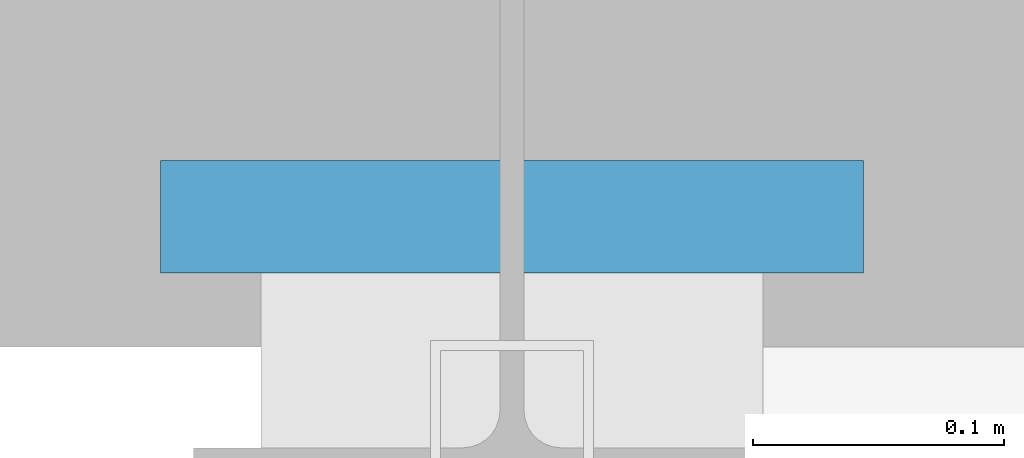
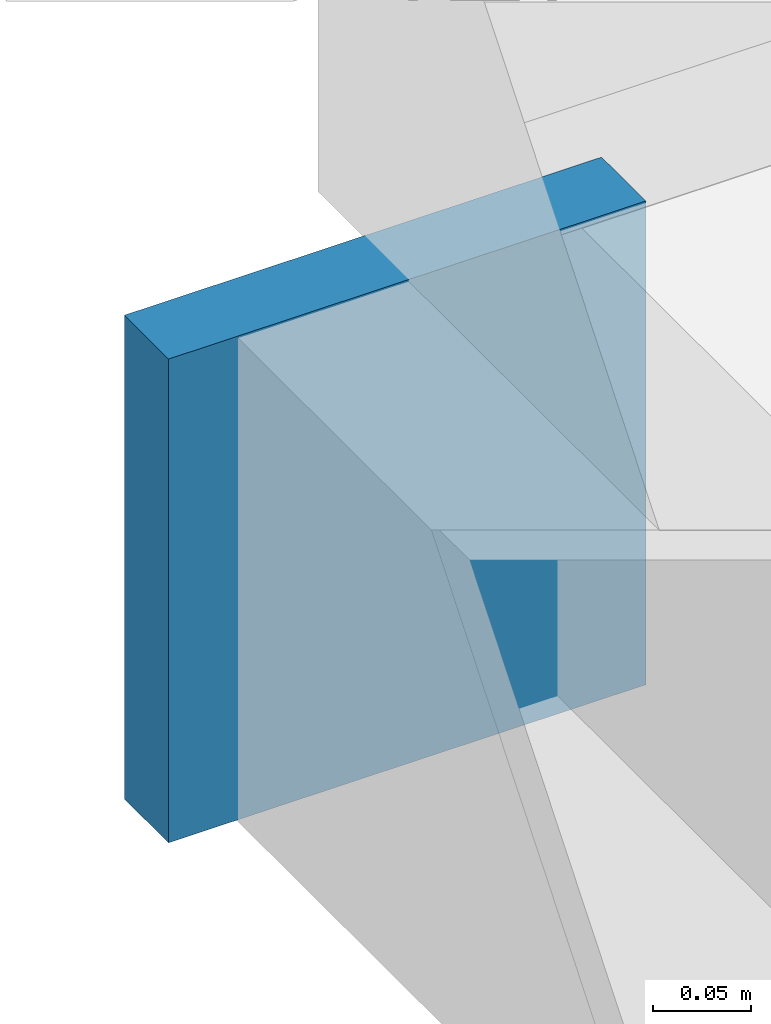
# One storey, part 150 of 174: 1 plate.
"""IFC4 building model written with IfcOpenShell, lengths in metres."""

from ifc_helpers import new_model, si_unit, direction, frame, origin, origin_2d, place, context, subcontext, project, spatial, rectangle, extrude, material, layer, layer_set, type_object, element, save


model = new_model("IFC4")

# Units and contexts
model_context = context("Model", 3, precision=1e-05, world=origin(), true_north=direction((0.0, 1.0)))
body_context = subcontext(model_context, "Body", "Model", "MODEL_VIEW")
ifc_project = project(units=[si_unit("LENGTHUNIT", "METRE"), si_unit("AREAUNIT", "SQUARE_METRE"), si_unit("VOLUMEUNIT", "CUBIC_METRE"), si_unit("PLANEANGLEUNIT", "RADIAN"), si_unit("MASSUNIT", "GRAM", prefix="KILO")], contexts=[model_context])

# Site, building, storey
site_placement = place(None, origin())
site = spatial("IfcSite", under=ifc_project, at=site_placement, CompositionType="ELEMENT")
building_placement = place(site_placement, origin())
building = spatial("IfcBuilding", under=site, at=building_placement, Name="Caisbarro Railhouse Central Library", CompositionType="ELEMENT")
storey_placement = place(building_placement, frame((0.0, 0.0, 5.0400390625)))
storey = spatial("IfcBuildingStorey", under=building, at=storey_placement, Name="L01", CompositionType="ELEMENT", Elevation=5.0400390625)

# Plate
ifc_material = material(Name="Steel ASTM A572 Grade 50", Category="steel")
ifc_layer = layer(ifc_material, 0.044921875, Name="Steel ASTM A572 Grade 50")
ifc_layer_set = layer_set([ifc_layer], Name="Steel ASTM A572 Grade 50")
plate_type = type_object("IfcPlateType", Name="PLT-EP01", PredefinedType="SHEET", material=ifc_layer_set)
plate_placement = place(storey_placement, frame((117.0, 113.931884765625, -0.52001953125), z_axis=(0.0, 0.0, 1.0), x_axis=(0.0, 1.0, 0.0)))
element("IfcPlate", 1, at=plate_placement, inside=storey, type_object=plate_type, Name="EP01 end cap plate", PredefinedType="SHEET", context=body_context, shape_type="SweptSolid", body=[
    extrude(rectangle(XDim=0.044921875, YDim=0.280029296875, at=origin_2d()), origin(), (0.0, 0.0, 1.0), 0.300048828125),
])

save(model, "model.ifc")
